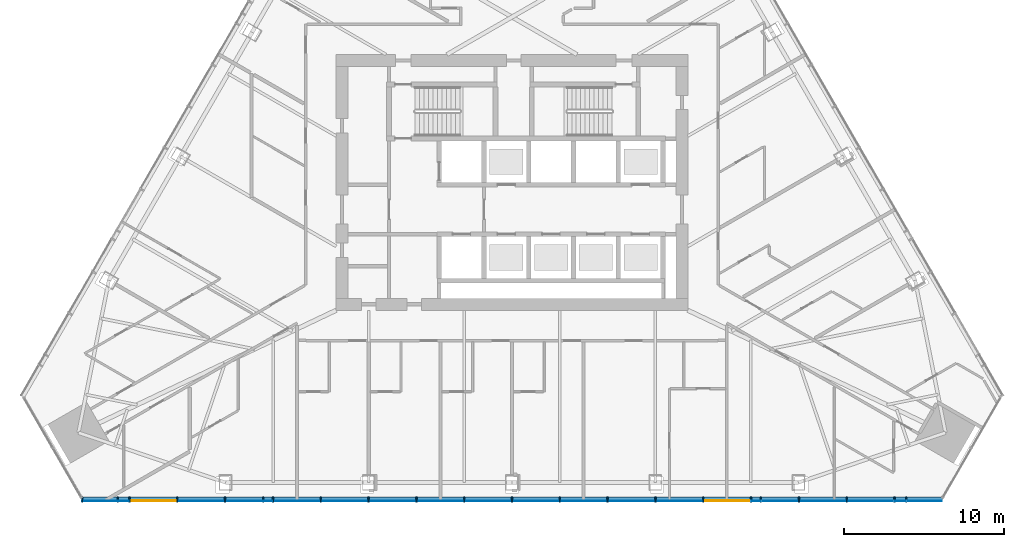
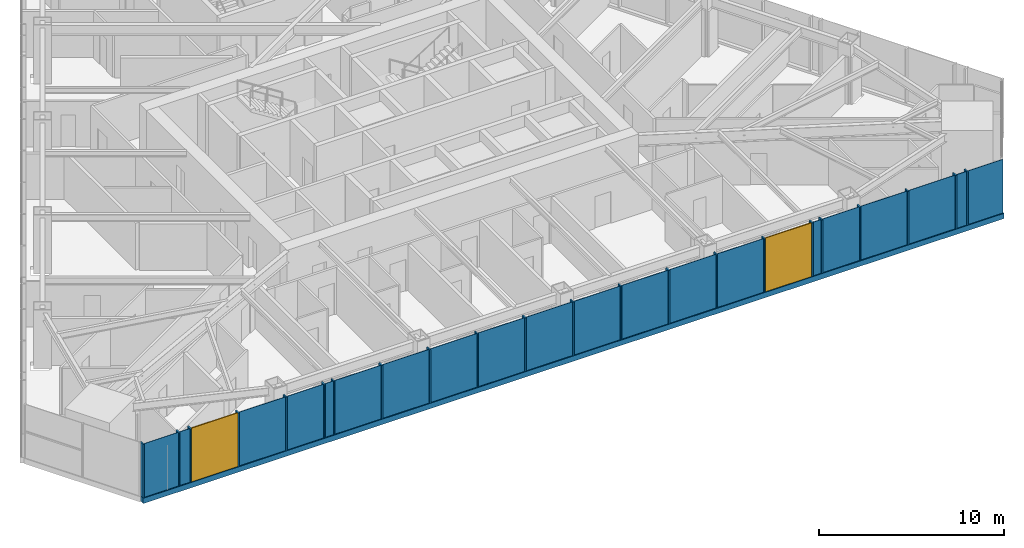
# One storey, part 3 of 21: 23 members, 20 plates, 2 windows, 2 openings, 1 element without a shape of its own.
"""IFC4 building model written with IfcOpenShell, lengths in metres."""

from ifc_helpers import new_model, si_unit, direction, frame, frame_2d, origin, origin_2d, place, context, subcontext, project, spatial, polyline, rectangle, outline, extrude, material, layer, layer_set, material_profile, profile_set, type_object, element, fill, aggregate, save


model = new_model("IFC4")

# Units and contexts
model_context = context("Model", 3, precision=1e-05, world=origin(), true_north=direction((0.0, 1.0)))
body_context = subcontext(model_context, "Body", "Model", "MODEL_VIEW")
ifc_project = project(units=[si_unit("LENGTHUNIT", "METRE"), si_unit("AREAUNIT", "SQUARE_METRE"), si_unit("VOLUMEUNIT", "CUBIC_METRE"), si_unit("PLANEANGLEUNIT", "RADIAN"), si_unit("MASSUNIT", "GRAM", prefix="KILO")], contexts=[model_context])

# Site, building, storey
site_placement = place(None, origin())
site = spatial("IfcSite", under=ifc_project, at=site_placement, CompositionType="ELEMENT")
building_placement = place(site_placement, origin())
building = spatial("IfcBuilding", under=site, at=building_placement, Name="Firuza Gate Tower and Library", CompositionType="ELEMENT")
storey_placement = place(building_placement, frame((0.0, 0.0, 167.5)))
storey = spatial("IfcBuildingStorey", under=building, at=storey_placement, Name="L38", CompositionType="ELEMENT", Elevation=167.5)

# Curtain wall, openings, members, plates, windows
ifc_material_1 = material(Name="Aluminium 6063-T6", Category="aluminium")
ifc_layer_1 = layer(ifc_material_1, 0.14990234375)
ifc_layer_set_1 = layer_set([ifc_layer_1], Name="Unitised curtain wall, hotel")
curtain_wall_type = type_object("IfcCurtainWallType", Name="Unitised curtain wall, hotel", PredefinedType="NOTDEFINED", material=ifc_layer_set_1)
curtain_wall_placement = place(storey_placement, origin())
curtain_wall = element("IfcCurtainWall", 1, at=curtain_wall_placement, inside=storey, type_object=curtain_wall_type, Name="CW2 L38 S face", PredefinedType="NOTDEFINED")
opening_1_placement = place(curtain_wall_placement, frame((51.10302734375, 55.07568359375, 0.14990234375), z_axis=(0.0, 0.0, 1.0), x_axis=(1.0, 0.0, 0.0)))
opening_1 = element("IfcOpeningElement", 2, at=opening_1_placement, cuts=curtain_wall, Name="Opening WD1-003", PredefinedType="OPENING", context=body_context, shape_type="SweptSolid", body=[
    extrude(rectangle(XDim=2.912109375, YDim=3.550048828125, at=frame_2d((1.4560546875, 1.77490234375))), frame((0.0, 0.0849609375, 0.0), z_axis=(0.0, -1.0, 0.0), x_axis=(1.0, 0.0, 0.0)), (0.0, 0.0, 1.0), 0.169921875),
])
opening_2_placement = place(curtain_wall_placement, frame((87.008544921875, 55.07568359375, 0.14990234375), z_axis=(0.0, 0.0, 1.0), x_axis=(1.0, 0.0, 0.0)))
opening_2 = element("IfcOpeningElement", 3, at=opening_2_placement, cuts=curtain_wall, Name="Opening WD1-004", PredefinedType="OPENING", context=body_context, shape_type="SweptSolid", body=[
    extrude(rectangle(XDim=2.912109375, YDim=3.550048828125, at=frame_2d((1.4560546875, 1.77490234375))), frame((0.0, 0.0849609375, 0.0), z_axis=(0.0, -1.0, 0.0), x_axis=(1.0, 0.0, 0.0)), (0.0, 0.0, 1.0), 0.169921875),
])
ifc_material_2 = material(Name="Aluminium 6063-T6", Category="aluminium")
ifc_material_profile_1 = material_profile(ifc_material_2, rectangle(XDim=0.320068359375, YDim=0.080078125, at=origin_2d()))
ifc_profile_set_1 = profile_set([ifc_material_profile_1], Name="Aluminium 6063-T6")
member_type_1 = type_object("IfcMemberType", Name="Curtain wall mullion 80x320", PredefinedType="MULLION", material=ifc_profile_set_1)
member_1_placement = place(storey_placement, frame((48.11083984375, 55.16064453125, 0.14990234375), z_axis=(0.0, 0.0, 1.0), x_axis=(0.0, 1.0, 0.0)))
member_1 = element("IfcMember", 4, at=member_1_placement, type_object=member_type_1, Name="Mullion", PredefinedType="MULLION", context=body_context, shape_type="SweptSolid", body=[
    extrude(rectangle(XDim=0.320068359375, YDim=0.080078125, at=origin_2d()), origin(), (0.0, 0.0, 1.0), 3.550048828125),
])
member_2_placement = place(storey_placement, frame((51.06298828125, 55.16064453125, 0.14990234375), z_axis=(0.0, 0.0, 1.0), x_axis=(0.0, 1.0, 0.0)))
member_2 = element("IfcMember", 5, at=member_2_placement, type_object=member_type_1, Name="Mullion", PredefinedType="MULLION", context=body_context, shape_type="SweptSolid", body=[
    extrude(rectangle(XDim=0.320068359375, YDim=0.080078125, at=origin_2d()), origin(), (0.0, 0.0, 1.0), 3.550048828125),
])
member_3_placement = place(storey_placement, frame((54.05517578125, 55.16064453125, 0.14990234375), z_axis=(0.0, 0.0, 1.0), x_axis=(0.0, 1.0, 0.0)))
member_3 = element("IfcMember", 6, at=member_3_placement, type_object=member_type_1, Name="Mullion", PredefinedType="MULLION", context=body_context, shape_type="SweptSolid", body=[
    extrude(rectangle(XDim=0.320068359375, YDim=0.080078125, at=origin_2d()), origin(), (0.0, 0.0, 1.0), 3.550048828125),
])
member_4_placement = place(storey_placement, frame((57.04736328125, 55.16064453125, 0.14990234375), z_axis=(0.0, 0.0, 1.0), x_axis=(0.0, 1.0, 0.0)))
member_4 = element("IfcMember", 7, at=member_4_placement, type_object=member_type_1, Name="Mullion", PredefinedType="MULLION", context=body_context, shape_type="SweptSolid", body=[
    extrude(rectangle(XDim=0.320068359375, YDim=0.080078125, at=origin_2d()), origin(), (0.0, 0.0, 1.0), 3.550048828125),
])
member_5_placement = place(storey_placement, frame((60.039306640625, 55.16064453125, 0.14990234375), z_axis=(0.0, 0.0, 1.0), x_axis=(0.0, 1.0, 0.0)))
member_5 = element("IfcMember", 8, at=member_5_placement, type_object=member_type_1, Name="Mullion", PredefinedType="MULLION", context=body_context, shape_type="SweptSolid", body=[
    extrude(rectangle(XDim=0.320068359375, YDim=0.080078125, at=origin_2d()), origin(), (0.0, 0.0, 1.0), 3.550048828125),
])
member_6_placement = place(storey_placement, frame((63.031494140625, 55.16064453125, 0.14990234375), z_axis=(0.0, 0.0, 1.0), x_axis=(0.0, 1.0, 0.0)))
member_6 = element("IfcMember", 9, at=member_6_placement, type_object=member_type_1, Name="Mullion", PredefinedType="MULLION", context=body_context, shape_type="SweptSolid", body=[
    extrude(rectangle(XDim=0.320068359375, YDim=0.080078125, at=origin_2d()), origin(), (0.0, 0.0, 1.0), 3.550048828125),
])
member_7_placement = place(storey_placement, frame((66.023681640625, 55.16064453125, 0.14990234375), z_axis=(0.0, 0.0, 1.0), x_axis=(0.0, 1.0, 0.0)))
member_7 = element("IfcMember", 10, at=member_7_placement, type_object=member_type_1, Name="Mullion", PredefinedType="MULLION", context=body_context, shape_type="SweptSolid", body=[
    extrude(rectangle(XDim=0.320068359375, YDim=0.080078125, at=origin_2d()), origin(), (0.0, 0.0, 1.0), 3.550048828125),
])
member_8_placement = place(storey_placement, frame((69.015869140625, 55.16064453125, 0.14990234375), z_axis=(0.0, 0.0, 1.0), x_axis=(0.0, 1.0, 0.0)))
member_8 = element("IfcMember", 11, at=member_8_placement, type_object=member_type_1, Name="Mullion", PredefinedType="MULLION", context=body_context, shape_type="SweptSolid", body=[
    extrude(rectangle(XDim=0.320068359375, YDim=0.080078125, at=origin_2d()), origin(), (0.0, 0.0, 1.0), 3.550048828125),
])
member_9_placement = place(storey_placement, frame((72.0078125, 55.16064453125, 0.14990234375), z_axis=(0.0, 0.0, 1.0), x_axis=(0.0, 1.0, 0.0)))
member_9 = element("IfcMember", 12, at=member_9_placement, type_object=member_type_1, Name="Mullion", PredefinedType="MULLION", context=body_context, shape_type="SweptSolid", body=[
    extrude(rectangle(XDim=0.320068359375, YDim=0.080078125, at=origin_2d()), origin(), (0.0, 0.0, 1.0), 3.550048828125),
])
member_10_placement = place(storey_placement, frame((75.0, 55.16064453125, 0.14990234375), z_axis=(0.0, 0.0, 1.0), x_axis=(0.0, 1.0, 0.0)))
member_10 = element("IfcMember", 13, at=member_10_placement, type_object=member_type_1, Name="Mullion", PredefinedType="MULLION", context=body_context, shape_type="SweptSolid", body=[
    extrude(rectangle(XDim=0.320068359375, YDim=0.080078125, at=origin_2d()), origin(), (0.0, 0.0, 1.0), 3.550048828125),
])
member_11_placement = place(storey_placement, frame((77.9921875, 55.16064453125, 0.14990234375), z_axis=(0.0, 0.0, 1.0), x_axis=(0.0, 1.0, 0.0)))
member_11 = element("IfcMember", 14, at=member_11_placement, type_object=member_type_1, Name="Mullion", PredefinedType="MULLION", context=body_context, shape_type="SweptSolid", body=[
    extrude(rectangle(XDim=0.320068359375, YDim=0.080078125, at=origin_2d()), origin(), (0.0, 0.0, 1.0), 3.550048828125),
])
member_12_placement = place(storey_placement, frame((80.984130859375, 55.16064453125, 0.14990234375), z_axis=(0.0, 0.0, 1.0), x_axis=(0.0, 1.0, 0.0)))
member_12 = element("IfcMember", 15, at=member_12_placement, type_object=member_type_1, Name="Mullion", PredefinedType="MULLION", context=body_context, shape_type="SweptSolid", body=[
    extrude(rectangle(XDim=0.320068359375, YDim=0.080078125, at=origin_2d()), origin(), (0.0, 0.0, 1.0), 3.550048828125),
])
member_13_placement = place(storey_placement, frame((83.976318359375, 55.16064453125, 0.14990234375), z_axis=(0.0, 0.0, 1.0), x_axis=(0.0, 1.0, 0.0)))
member_13 = element("IfcMember", 16, at=member_13_placement, type_object=member_type_1, Name="Mullion", PredefinedType="MULLION", context=body_context, shape_type="SweptSolid", body=[
    extrude(rectangle(XDim=0.320068359375, YDim=0.080078125, at=origin_2d()), origin(), (0.0, 0.0, 1.0), 3.550048828125),
])
member_14_placement = place(storey_placement, frame((86.968505859375, 55.16064453125, 0.14990234375), z_axis=(0.0, 0.0, 1.0), x_axis=(0.0, 1.0, 0.0)))
member_14 = element("IfcMember", 17, at=member_14_placement, type_object=member_type_1, Name="Mullion", PredefinedType="MULLION", context=body_context, shape_type="SweptSolid", body=[
    extrude(rectangle(XDim=0.320068359375, YDim=0.080078125, at=origin_2d()), origin(), (0.0, 0.0, 1.0), 3.550048828125),
])
member_15_placement = place(storey_placement, frame((89.960693359375, 55.16064453125, 0.14990234375), z_axis=(0.0, 0.0, 1.0), x_axis=(0.0, 1.0, 0.0)))
member_15 = element("IfcMember", 18, at=member_15_placement, type_object=member_type_1, Name="Mullion", PredefinedType="MULLION", context=body_context, shape_type="SweptSolid", body=[
    extrude(rectangle(XDim=0.320068359375, YDim=0.080078125, at=origin_2d()), origin(), (0.0, 0.0, 1.0), 3.550048828125),
])
member_16_placement = place(storey_placement, frame((92.95263671875, 55.16064453125, 0.14990234375), z_axis=(0.0, 0.0, 1.0), x_axis=(0.0, 1.0, 0.0)))
member_16 = element("IfcMember", 19, at=member_16_placement, type_object=member_type_1, Name="Mullion", PredefinedType="MULLION", context=body_context, shape_type="SweptSolid", body=[
    extrude(rectangle(XDim=0.320068359375, YDim=0.080078125, at=origin_2d()), origin(), (0.0, 0.0, 1.0), 3.550048828125),
])
member_17_placement = place(storey_placement, frame((95.94482421875, 55.16064453125, 0.14990234375), z_axis=(0.0, 0.0, 1.0), x_axis=(0.0, 1.0, 0.0)))
member_17 = element("IfcMember", 20, at=member_17_placement, type_object=member_type_1, Name="Mullion", PredefinedType="MULLION", context=body_context, shape_type="SweptSolid", body=[
    extrude(rectangle(XDim=0.320068359375, YDim=0.080078125, at=origin_2d()), origin(), (0.0, 0.0, 1.0), 3.550048828125),
])
member_18_placement = place(storey_placement, frame((98.93701171875, 55.16064453125, 0.14990234375), z_axis=(0.0, 0.0, 1.0), x_axis=(0.0, 1.0, 0.0)))
member_18 = element("IfcMember", 21, at=member_18_placement, type_object=member_type_1, Name="Mullion", PredefinedType="MULLION", context=body_context, shape_type="SweptSolid", body=[
    extrude(rectangle(XDim=0.320068359375, YDim=0.080078125, at=origin_2d()), origin(), (0.0, 0.0, 1.0), 3.550048828125),
])
member_19_placement = place(storey_placement, frame((50.337646484375, 55.16064453125, 0.14990234375), z_axis=(0.0, 0.0, 1.0), x_axis=(0.0, 1.0, 0.0)))
member_19 = element("IfcMember", 22, at=member_19_placement, type_object=member_type_1, Name="Mullion", PredefinedType="MULLION", context=body_context, shape_type="SweptSolid", body=[
    extrude(rectangle(XDim=0.320068359375, YDim=0.080078125, at=origin_2d()), origin(), (0.0, 0.0, 1.0), 3.550048828125),
])
member_20_placement = place(storey_placement, frame((59.437744140625, 55.16064453125, 0.14990234375), z_axis=(0.0, 0.0, 1.0), x_axis=(0.0, 1.0, 0.0)))
member_20 = element("IfcMember", 23, at=member_20_placement, type_object=member_type_1, Name="Mullion", PredefinedType="MULLION", context=body_context, shape_type="SweptSolid", body=[
    extrude(rectangle(XDim=0.320068359375, YDim=0.080078125, at=origin_2d()), origin(), (0.0, 0.0, 1.0), 3.550048828125),
])
member_21_placement = place(storey_placement, frame((90.562255859375, 55.16064453125, 0.14990234375), z_axis=(0.0, 0.0, 1.0), x_axis=(0.0, 1.0, 0.0)))
member_21 = element("IfcMember", 24, at=member_21_placement, type_object=member_type_1, Name="Mullion", PredefinedType="MULLION", context=body_context, shape_type="SweptSolid", body=[
    extrude(rectangle(XDim=0.320068359375, YDim=0.080078125, at=origin_2d()), origin(), (0.0, 0.0, 1.0), 3.550048828125),
])
member_22_placement = place(storey_placement, frame((99.662353515625, 55.16064453125, 0.14990234375), z_axis=(0.0, 0.0, 1.0), x_axis=(0.0, 1.0, 0.0)))
member_22 = element("IfcMember", 25, at=member_22_placement, type_object=member_type_1, Name="Mullion", PredefinedType="MULLION", context=body_context, shape_type="SweptSolid", body=[
    extrude(rectangle(XDim=0.320068359375, YDim=0.080078125, at=origin_2d()), origin(), (0.0, 0.0, 1.0), 3.550048828125),
])
ifc_material_3 = material(Name="Aluminium 6063-T6", Category="aluminium")
ifc_material_profile_2 = material_profile(ifc_material_3, rectangle(XDim=0.320068359375, YDim=0.35009765625, at=origin_2d()))
ifc_profile_set_2 = profile_set([ifc_material_profile_2], Name="Aluminium 6063-T6")
member_type_2 = type_object("IfcMemberType", Name="Curtain wall transom 350x320", PredefinedType="USERDEFINED", material=ifc_profile_set_2)
member_23_placement = place(storey_placement, frame((48.07080078125, 55.16064453125, -0.02490234375), z_axis=(1.0, 0.0, 0.0), x_axis=(0.0, 1.0, 0.0)))
member_23 = element("IfcMember", 26, at=member_23_placement, type_object=member_type_2, Name="Transom", ObjectType="TRANSOM", PredefinedType="USERDEFINED", context=body_context, shape_type="SweptSolid", body=[
    extrude(rectangle(XDim=0.320068359375, YDim=0.35009765625, at=origin_2d()), origin(), (0.0, 0.0, 1.0), 53.8583984375),
])
ifc_material_4 = material(Name="Fritted glass", Category="glass")
ifc_layer_2 = layer(ifc_material_4, 0.030029296875)
ifc_layer_set_2 = layer_set([ifc_layer_2], Name="Fritted glass unit, hotel")
plate_type_1 = type_object("IfcPlateType", Name="Fritted glass unit, hotel", PredefinedType="CURTAIN_PANEL", material=ifc_layer_set_2)
plate_1_placement = place(storey_placement, frame((50.377685546875, 55.060546875, 0.14990234375), z_axis=(0.0, -1.0, 0.0), x_axis=(1.0, 0.0, 0.0)))
plate_1 = element("IfcPlate", 27, at=plate_1_placement, type_object=plate_type_1, Name="Glass unit", PredefinedType="CURTAIN_PANEL", context=body_context, shape_type="SweptSolid", body=[
    extrude(outline(polyline([(0.0, 0.0), (0.645263671875, 0.0), (0.645263671875, 3.550048828125), (0.0, 3.550048828125), (0.0, 0.0)])), origin(), (0.0, 0.0, -1.0), 0.030029296875),
])
plate_2_placement = place(storey_placement, frame((59.477783203125, 55.060546875, 0.14990234375), z_axis=(0.0, -1.0, 0.0), x_axis=(1.0, 0.0, 0.0)))
plate_2 = element("IfcPlate", 28, at=plate_2_placement, type_object=plate_type_1, Name="Glass unit", PredefinedType="CURTAIN_PANEL", context=body_context, shape_type="SweptSolid", body=[
    extrude(outline(polyline([(0.0, 0.0), (0.521728515625, 0.0), (0.521728515625, 3.550048828125), (0.0, 3.550048828125), (0.0, 0.0)])), origin(), (0.0, 0.0, -1.0), 0.030029296875),
])
plate_3_placement = place(storey_placement, frame((60.079345703125, 55.060546875, 0.14990234375), z_axis=(0.0, -1.0, 0.0), x_axis=(1.0, 0.0, 0.0)))
plate_3 = element("IfcPlate", 29, at=plate_3_placement, type_object=plate_type_1, Name="Glass unit", PredefinedType="CURTAIN_PANEL", context=body_context, shape_type="SweptSolid", body=[
    extrude(outline(polyline([(0.0, 0.0), (2.912109375, 0.0), (2.912109375, 3.550048828125), (0.0, 3.550048828125), (0.0, 0.0)])), origin(), (0.0, 0.0, -1.0), 0.030029296875),
])
plate_4_placement = place(storey_placement, frame((69.0556640625, 55.060546875, 0.14990234375), z_axis=(0.0, -1.0, 0.0), x_axis=(1.0, 0.0, 0.0)))
plate_4 = element("IfcPlate", 30, at=plate_4_placement, type_object=plate_type_1, Name="Glass unit", PredefinedType="CURTAIN_PANEL", context=body_context, shape_type="SweptSolid", body=[
    extrude(outline(polyline([(0.0, 0.0), (2.912109375, 0.0), (2.912109375, 3.550048828125), (0.0, 3.550048828125), (0.0, 0.0)])), origin(), (0.0, 0.0, -1.0), 0.030029296875),
])
plate_5_placement = place(storey_placement, frame((78.0322265625, 55.060546875, 0.14990234375), z_axis=(0.0, -1.0, 0.0), x_axis=(1.0, 0.0, 0.0)))
plate_5 = element("IfcPlate", 31, at=plate_5_placement, type_object=plate_type_1, Name="Glass unit", PredefinedType="CURTAIN_PANEL", context=body_context, shape_type="SweptSolid", body=[
    extrude(outline(polyline([(0.0, 0.0), (2.912109375, 0.0), (2.912109375, 3.550048828125), (0.0, 3.550048828125), (0.0, 0.0)])), origin(), (0.0, 0.0, -1.0), 0.030029296875),
])
plate_6_placement = place(storey_placement, frame((90.00048828125, 55.060546875, 0.14990234375), z_axis=(0.0, -1.0, 0.0), x_axis=(1.0, 0.0, 0.0)))
plate_6 = element("IfcPlate", 32, at=plate_6_placement, type_object=plate_type_1, Name="Glass unit", PredefinedType="CURTAIN_PANEL", context=body_context, shape_type="SweptSolid", body=[
    extrude(outline(polyline([(0.0, 0.0), (0.521728515625, 0.0), (0.521728515625, 3.550048828125), (0.0, 3.550048828125), (0.0, 0.0)])), origin(), (0.0, 0.0, -1.0), 0.030029296875),
])
plate_7_placement = place(storey_placement, frame((95.98486328125, 55.060546875, 0.14990234375), z_axis=(0.0, -1.0, 0.0), x_axis=(1.0, 0.0, 0.0)))
plate_7 = element("IfcPlate", 33, at=plate_7_placement, type_object=plate_type_1, Name="Glass unit", PredefinedType="CURTAIN_PANEL", context=body_context, shape_type="SweptSolid", body=[
    extrude(outline(polyline([(0.0, 0.0), (2.912109375, 0.0), (2.912109375, 3.550048828125), (0.0, 3.550048828125), (0.0, 0.0)])), origin(), (0.0, 0.0, -1.0), 0.030029296875),
])
plate_8_placement = place(storey_placement, frame((98.97705078125, 55.060546875, 0.14990234375), z_axis=(0.0, -1.0, 0.0), x_axis=(1.0, 0.0, 0.0)))
plate_8 = element("IfcPlate", 34, at=plate_8_placement, type_object=plate_type_1, Name="Glass unit", PredefinedType="CURTAIN_PANEL", context=body_context, shape_type="SweptSolid", body=[
    extrude(outline(polyline([(0.0, 0.0), (0.645263671875, 0.0), (0.645263671875, 3.550048828125), (0.0, 3.550048828125), (0.0, 0.0)])), origin(), (0.0, 0.0, -1.0), 0.030029296875),
])
ifc_material_5 = material(Name="Glazed ceramic tile")
ifc_layer_3 = layer(ifc_material_5, 0.030029296875)
ifc_layer_set_3 = layer_set([ifc_layer_3], Name="Opaque ceramic panel, hotel")
plate_type_2 = type_object("IfcPlateType", Name="Opaque ceramic panel, hotel", PredefinedType="CURTAIN_PANEL", material=ifc_layer_set_3)
plate_9_placement = place(storey_placement, frame((48.11083984375, 55.060546875, 0.14990234375), z_axis=(0.0, -1.0, 0.0), x_axis=(1.0, 0.0, 0.0)))
plate_9 = element("IfcPlate", 35, at=plate_9_placement, type_object=plate_type_2, Name="Opaque ceramic panel", PredefinedType="CURTAIN_PANEL", context=body_context, shape_type="SweptSolid", body=[
    extrude(outline(polyline([(0.0, 0.0), (2.186767578125, 0.0), (2.186767578125, 3.550048828125), (0.0, 3.550048828125), (0.0, 0.0)])), origin(), (0.0, 0.0, -1.0), 0.030029296875),
])
plate_10_placement = place(storey_placement, frame((54.09521484375, 55.060546875, 0.14990234375), z_axis=(0.0, -1.0, 0.0), x_axis=(1.0, 0.0, 0.0)))
plate_10 = element("IfcPlate", 36, at=plate_10_placement, type_object=plate_type_2, Name="Opaque ceramic panel", PredefinedType="CURTAIN_PANEL", context=body_context, shape_type="SweptSolid", body=[
    extrude(outline(polyline([(0.0, 0.0), (2.912109375, 0.0), (2.912109375, 3.550048828125), (0.0, 3.550048828125), (0.0, 0.0)])), origin(), (0.0, 0.0, -1.0), 0.030029296875),
])
plate_11_placement = place(storey_placement, frame((57.087158203125, 55.060546875, 0.14990234375), z_axis=(0.0, -1.0, 0.0), x_axis=(1.0, 0.0, 0.0)))
plate_11 = element("IfcPlate", 37, at=plate_11_placement, type_object=plate_type_2, Name="Opaque ceramic panel", PredefinedType="CURTAIN_PANEL", context=body_context, shape_type="SweptSolid", body=[
    extrude(outline(polyline([(0.0, 0.0), (2.310546875, 0.0), (2.310546875, 3.550048828125), (0.0, 3.550048828125), (0.0, 0.0)])), origin(), (0.0, 0.0, -1.0), 0.030029296875),
])
plate_12_placement = place(storey_placement, frame((63.071533203125, 55.060546875, 0.14990234375), z_axis=(0.0, -1.0, 0.0), x_axis=(1.0, 0.0, 0.0)))
plate_12 = element("IfcPlate", 38, at=plate_12_placement, type_object=plate_type_2, Name="Opaque ceramic panel", PredefinedType="CURTAIN_PANEL", context=body_context, shape_type="SweptSolid", body=[
    extrude(outline(polyline([(0.0, 0.0), (2.912109375, 0.0), (2.912109375, 3.550048828125), (0.0, 3.550048828125), (0.0, 0.0)])), origin(), (0.0, 0.0, -1.0), 0.030029296875),
])
plate_13_placement = place(storey_placement, frame((66.063720703125, 55.060546875, 0.14990234375), z_axis=(0.0, -1.0, 0.0), x_axis=(1.0, 0.0, 0.0)))
plate_13 = element("IfcPlate", 39, at=plate_13_placement, type_object=plate_type_2, Name="Opaque ceramic panel", PredefinedType="CURTAIN_PANEL", context=body_context, shape_type="SweptSolid", body=[
    extrude(outline(polyline([(0.0, 0.0), (2.912109375, 0.0), (2.912109375, 3.550048828125), (0.0, 3.550048828125), (0.0, 0.0)])), origin(), (0.0, 0.0, -1.0), 0.030029296875),
])
plate_14_placement = place(storey_placement, frame((72.0478515625, 55.060546875, 0.14990234375), z_axis=(0.0, -1.0, 0.0), x_axis=(1.0, 0.0, 0.0)))
plate_14 = element("IfcPlate", 40, at=plate_14_placement, type_object=plate_type_2, Name="Opaque ceramic panel", PredefinedType="CURTAIN_PANEL", context=body_context, shape_type="SweptSolid", body=[
    extrude(outline(polyline([(0.0, 0.0), (2.912109375, 0.0), (2.912109375, 3.550048828125), (0.0, 3.550048828125), (0.0, 0.0)])), origin(), (0.0, 0.0, -1.0), 0.030029296875),
])
plate_15_placement = place(storey_placement, frame((75.0400390625, 55.060546875, 0.14990234375), z_axis=(0.0, -1.0, 0.0), x_axis=(1.0, 0.0, 0.0)))
plate_15 = element("IfcPlate", 41, at=plate_15_placement, type_object=plate_type_2, Name="Opaque ceramic panel", PredefinedType="CURTAIN_PANEL", context=body_context, shape_type="SweptSolid", body=[
    extrude(outline(polyline([(0.0, 0.0), (2.912109375, 0.0), (2.912109375, 3.550048828125), (0.0, 3.550048828125), (0.0, 0.0)])), origin(), (0.0, 0.0, -1.0), 0.030029296875),
])
plate_16_placement = place(storey_placement, frame((81.024169921875, 55.060546875, 0.14990234375), z_axis=(0.0, -1.0, 0.0), x_axis=(1.0, 0.0, 0.0)))
plate_16 = element("IfcPlate", 42, at=plate_16_placement, type_object=plate_type_2, Name="Opaque ceramic panel", PredefinedType="CURTAIN_PANEL", context=body_context, shape_type="SweptSolid", body=[
    extrude(outline(polyline([(0.0, 0.0), (2.912109375, 0.0), (2.912109375, 3.550048828125), (0.0, 3.550048828125), (0.0, 0.0)])), origin(), (0.0, 0.0, -1.0), 0.030029296875),
])
plate_17_placement = place(storey_placement, frame((84.016357421875, 55.060546875, 0.14990234375), z_axis=(0.0, -1.0, 0.0), x_axis=(1.0, 0.0, 0.0)))
plate_17 = element("IfcPlate", 43, at=plate_17_placement, type_object=plate_type_2, Name="Opaque ceramic panel", PredefinedType="CURTAIN_PANEL", context=body_context, shape_type="SweptSolid", body=[
    extrude(outline(polyline([(0.0, 0.0), (2.912109375, 0.0), (2.912109375, 3.550048828125), (0.0, 3.550048828125), (0.0, 0.0)])), origin(), (0.0, 0.0, -1.0), 0.030029296875),
])
plate_18_placement = place(storey_placement, frame((90.602294921875, 55.060546875, 0.14990234375), z_axis=(0.0, -1.0, 0.0), x_axis=(1.0, 0.0, 0.0)))
plate_18 = element("IfcPlate", 44, at=plate_18_placement, type_object=plate_type_2, Name="Opaque ceramic panel", PredefinedType="CURTAIN_PANEL", context=body_context, shape_type="SweptSolid", body=[
    extrude(outline(polyline([(0.0, 0.0), (2.310546875, 0.0), (2.310546875, 3.550048828125), (0.0, 3.550048828125), (0.0, 0.0)])), origin(), (0.0, 0.0, -1.0), 0.030029296875),
])
plate_19_placement = place(storey_placement, frame((92.99267578125, 55.060546875, 0.14990234375), z_axis=(0.0, -1.0, 0.0), x_axis=(1.0, 0.0, 0.0)))
plate_19 = element("IfcPlate", 45, at=plate_19_placement, type_object=plate_type_2, Name="Opaque ceramic panel", PredefinedType="CURTAIN_PANEL", context=body_context, shape_type="SweptSolid", body=[
    extrude(outline(polyline([(0.0, 0.0), (2.912109375, 0.0), (2.912109375, 3.550048828125), (0.0, 3.550048828125), (0.0, 0.0)])), origin(), (0.0, 0.0, -1.0), 0.030029296875),
])
plate_20_placement = place(storey_placement, frame((99.702392578125, 55.060546875, 0.14990234375), z_axis=(0.0, -1.0, 0.0), x_axis=(1.0, 0.0, 0.0)))
plate_20 = element("IfcPlate", 46, at=plate_20_placement, type_object=plate_type_2, Name="Opaque ceramic panel", PredefinedType="CURTAIN_PANEL", context=body_context, shape_type="SweptSolid", body=[
    extrude(outline(polyline([(0.0, 0.0), (2.186767578125, 0.0), (2.186767578125, 3.550048828125), (0.0, 3.550048828125), (0.0, 0.0)])), origin(), (0.0, 0.0, -1.0), 0.030029296875),
])
aggregate(curtain_wall, [member_1, member_2, member_3, member_4, member_5, member_6, member_7, member_8, member_9, member_10, member_11, member_12, member_13, member_14, member_15, member_16, member_17, member_18, member_23, plate_9, plate_1, member_19, plate_10, plate_11, plate_2, member_20, plate_3, plate_12, plate_13, plate_4, plate_14, plate_15, plate_5, plate_16, plate_17, plate_6, plate_18, member_21, plate_19, plate_7, plate_8, plate_20, member_22])
ifc_material_6 = material(Name="Aluminium 6063-T6 and glass", Category="aluminium")
ifc_layer_4 = layer(ifc_material_6, 0.030029296875)
ifc_layer_set_4 = layer_set([ifc_layer_4], Name="Operable glazed unit")
window_type = type_object("IfcWindowType", Name="Operable glazed unit", PartitioningType="SINGLE_PANEL", PredefinedType="WINDOW", material=ifc_layer_set_4)
window_1_placement = place(opening_1_placement, origin())
window_1 = element("IfcWindow", 47, at=window_1_placement, inside=storey, type_object=window_type, Name="Operable glazed unit", OverallHeight=3.550048828125, OverallWidth=2.912109375, PartitioningType="SINGLE_PANEL", PredefinedType="WINDOW", context=body_context, shape_type="SweptSolid", body=[
    extrude(rectangle(XDim=2.912109375, YDim=3.550048828125, at=frame_2d((1.4560546875, 1.77490234375))), frame((0.0, 0.030029296875, 0.0), z_axis=(0.0, -1.0, 0.0), x_axis=(1.0, 0.0, 0.0)), (0.0, 0.0, 1.0), 0.06005859375),
])
fill(opening_1, window_1)
window_2_placement = place(opening_2_placement, origin())
window_2 = element("IfcWindow", 48, at=window_2_placement, inside=storey, type_object=window_type, Name="Operable glazed unit", OverallHeight=3.550048828125, OverallWidth=2.912109375, PartitioningType="SINGLE_PANEL", PredefinedType="WINDOW", context=body_context, shape_type="SweptSolid", body=[
    extrude(rectangle(XDim=2.912109375, YDim=3.550048828125, at=frame_2d((1.4560546875, 1.77490234375))), frame((0.0, 0.030029296875, 0.0), z_axis=(0.0, -1.0, 0.0), x_axis=(1.0, 0.0, 0.0)), (0.0, 0.0, 1.0), 0.06005859375),
])
fill(opening_2, window_2)

save(model, "model.ifc")
